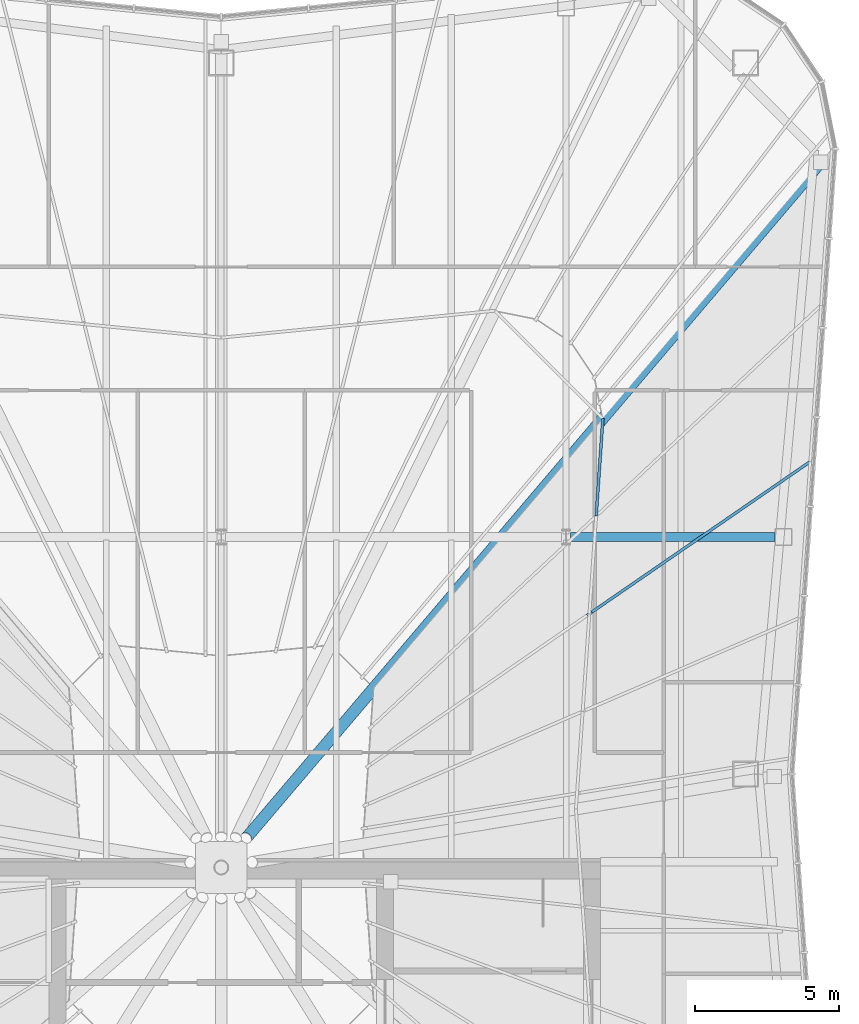
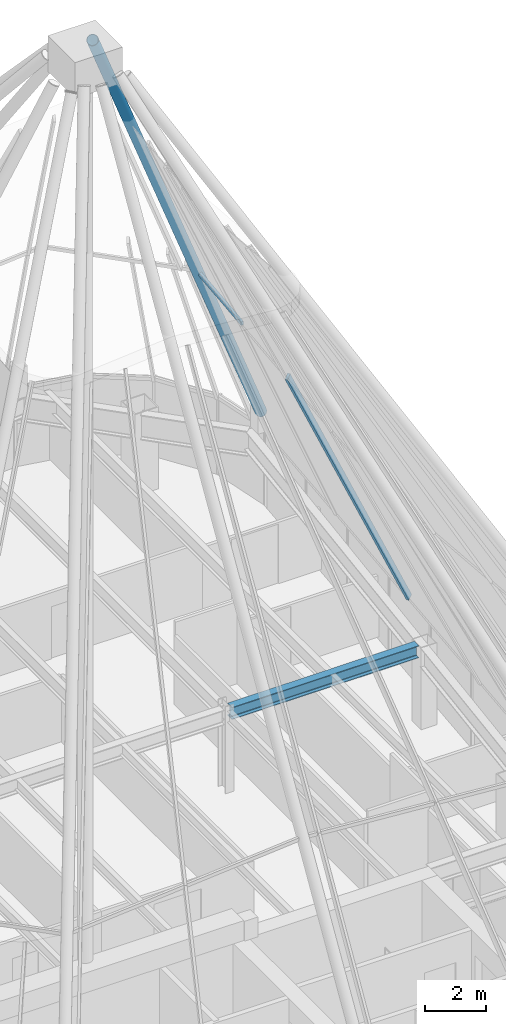
# One storey, part 17 of 28: 3 members, 1 beam, 2 elements without a shape of their own.
"""IFC4 building model written with IfcOpenShell, lengths in metres."""

from ifc_helpers import new_model, si_unit, direction, frame, origin, origin_2d, place, context, subcontext, project, spatial, rectangle, hollow_circle, i_section, extrude, material, material_profile, profile_set, type_object, element, aggregate, save


model = new_model("IFC4")

# Units and contexts
model_context = context("Model", 3, precision=1e-05, world=origin(), true_north=direction((0.0, 1.0)))
body_context = subcontext(model_context, "Body", "Model", "MODEL_VIEW")
ifc_project = project(units=[si_unit("LENGTHUNIT", "METRE"), si_unit("AREAUNIT", "SQUARE_METRE"), si_unit("VOLUMEUNIT", "CUBIC_METRE"), si_unit("PLANEANGLEUNIT", "RADIAN"), si_unit("MASSUNIT", "GRAM", prefix="KILO")], contexts=[model_context])

# Site, building, storey
site_placement = place(None, origin())
site = spatial("IfcSite", under=ifc_project, at=site_placement, CompositionType="ELEMENT")
building_placement = place(site_placement, origin())
building = spatial("IfcBuilding", under=site, at=building_placement, Name="Verdant Reach Tower", CompositionType="ELEMENT")
storey_placement = place(building_placement, frame((0.0, 0.0, 368.0)))
storey = spatial("IfcBuildingStorey", under=building, at=storey_placement, Name="L83 Crown plant", CompositionType="ELEMENT", Elevation=368.0)

# Curtain wall, member
ifc_material_1 = material(Name="Anodised aluminium", Category="aluminium")
curtain_wall_type = type_object("IfcCurtainWallType", Name="EN-CW SYSTEM CROWN APEX", PredefinedType="NOTDEFINED", material=ifc_material_1)
curtain_wall_1_placement = place(storey_placement, origin())
curtain_wall_1 = element("IfcCurtainWall", 1, at=curtain_wall_1_placement, inside=storey, type_object=curtain_wall_type, Name="Crown glazing unit east face part 2 3, level 01", PredefinedType="NOTDEFINED")
ifc_material_profile_1 = material_profile(ifc_material_1, rectangle(XDim=0.10009765625, YDim=0.239990234375, at=origin_2d()), Name="Mullion 100x240")
ifc_profile_set_1 = profile_set([ifc_material_profile_1], Name="Anodised aluminium")
member_type_1 = type_object("IfcMemberType", Name="EN-RIB MULLION CROWN", PredefinedType="MULLION", material=ifc_profile_set_1)
member_1_placement = place(storey_placement, frame((20.5, 52.125, 3.14990234375), z_axis=(-0.439588984251, -0.302887531832, 0.845588947412), x_axis=(0.567380903028, -0.823455469882, 0.0)))
member_1 = element("IfcMember", 2, at=member_1_placement, type_object=member_type_1, Name="Crown mullion east face part 2 3, level 01", PredefinedType="MULLION", context=body_context, shape_type="SweptSolid", body=[
    extrude(rectangle(XDim=0.10009765625, YDim=0.239990234375, at=origin_2d()), origin(), (0.0, 0.0, 1.0), 17.488037109375),
])
aggregate(curtain_wall_1, [member_1])

curtain_wall_2_placement = place(storey_placement, origin())
curtain_wall_2 = element("IfcCurtainWall", 3, at=curtain_wall_2_placement, inside=storey, type_object=curtain_wall_type, Name="Crown glazing unit east face part 2 4, level 02", PredefinedType="NOTDEFINED")
ifc_material_profile_2 = material_profile(ifc_material_1, rectangle(XDim=0.10009765625, YDim=0.139892578125, at=origin_2d()), Name="Transom 140x100")
ifc_profile_set_2 = profile_set([ifc_material_profile_2], Name="Anodised aluminium")
member_type_2 = type_object("IfcMemberType", Name="EN-TRANSOM CROWN", PredefinedType="USERDEFINED", material=ifc_profile_set_2)
member_2_placement = place(storey_placement, frame((13.046875, 50.2265625, 17.9375), z_axis=(0.068802091615, 0.997630328423, 0.0), x_axis=(-0.997630328423, 0.068802091615, 0.0)))
member_2 = element("IfcMember", 4, at=member_2_placement, type_object=member_type_2, Name="Crown transom east face part 2 4, level 02", ObjectType="TRANSOM", PredefinedType="USERDEFINED", context=body_context, shape_type="SweptSolid", body=[
    extrude(rectangle(XDim=0.10009765625, YDim=0.139892578125, at=origin_2d()), origin(), (0.0, 0.0, 1.0), 3.406494140625),
])
aggregate(curtain_wall_2, [member_2])

# Beam
ifc_material_2 = material(Name="Steel S355", Category="steel")
ifc_material_profile_3 = material_profile(ifc_material_2, i_section(OverallWidth=0.300048828125, OverallDepth=0.489990234375, WebThickness=0.011962890625, FlangeThickness=0.02294921875, FilletRadius=0.027099609375, at=origin_2d()), Name="HEA 500")
ifc_profile_set_3 = profile_set([ifc_material_profile_3], Name="Steel S355")
beam_type = type_object("IfcBeamType", Name="ST-BEAM-HEA500", PredefinedType="BEAM", material=ifc_profile_set_3)
beam_placement = place(storey_placement, frame((12.153076171875, 49.5, 3.054931640625), z_axis=(1.0, 0.0, 0.0), x_axis=(0.0, 1.0, 0.0)))
element("IfcBeam", 5, at=beam_placement, inside=storey, type_object=beam_type, Name="Row girder, L83 Crown plant", PredefinedType="BEAM", context=body_context, shape_type="SweptSolid", body=[
    extrude(i_section(OverallWidth=0.300048828125, OverallDepth=0.489990234375, WebThickness=0.011962890625, FlangeThickness=0.02294921875, FilletRadius=0.027099609375, at=origin_2d()), origin(), (0.0, 0.0, 1.0), 7.115966796875),
])

# Member
ifc_material_3 = material(Name="Steel S460", Category="steel")
ifc_material_profile_4 = material_profile(ifc_material_3, hollow_circle(Radius=0.203125, WallThickness=0.01611328125, at=origin_2d()), Name="CHS 406.4x16")
ifc_profile_set_4 = profile_set([ifc_material_profile_4], Name="Steel S460")
member_type_3 = type_object("IfcMemberType", Name="ST-CROWN-RIB", PredefinedType="BRACE", material=ifc_profile_set_4)
member_3_placement = place(storey_placement, frame((20.861328125, 62.542724609375, 4.2041015625), z_axis=(-0.420088752654, -0.494218741088, 0.761100043261), x_axis=(0.761937170277, -0.647650946537, 0.0)))
element("IfcMember", 6, at=member_3_placement, inside=storey, type_object=member_type_3, Name="Crown rib 4", PredefinedType="BRACE", context=body_context, shape_type="SweptSolid", body=[
    extrude(hollow_circle(Radius=0.203125, WallThickness=0.01611328125, at=origin_2d()), origin(), (0.0, 0.0, 1.0), 47.570068359375),
])

save(model, "model.ifc")
